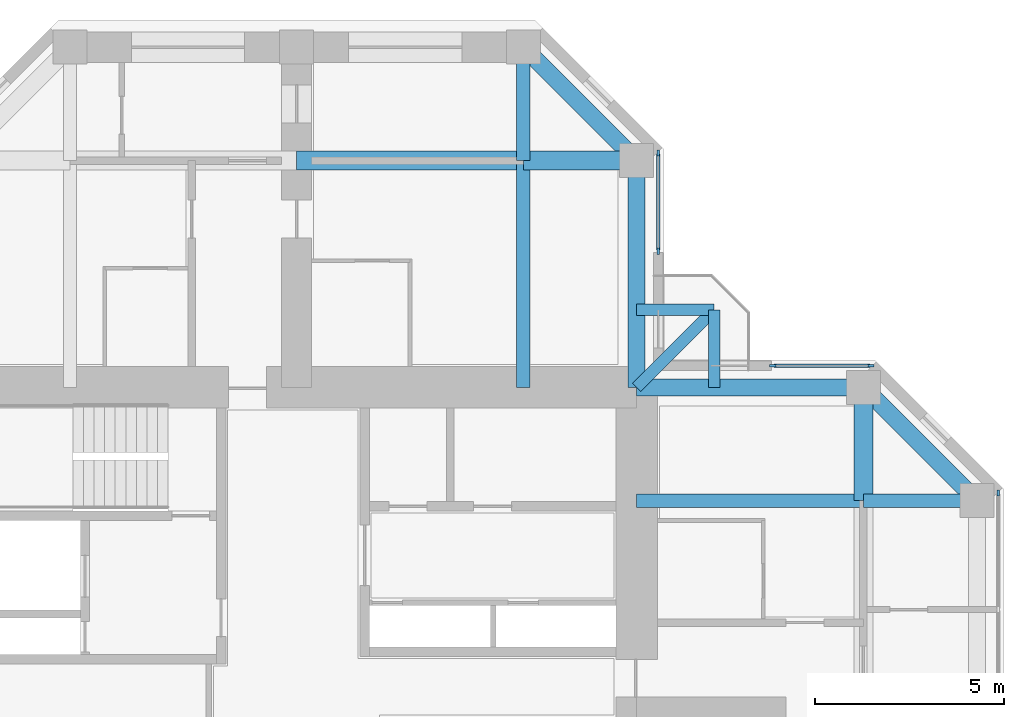
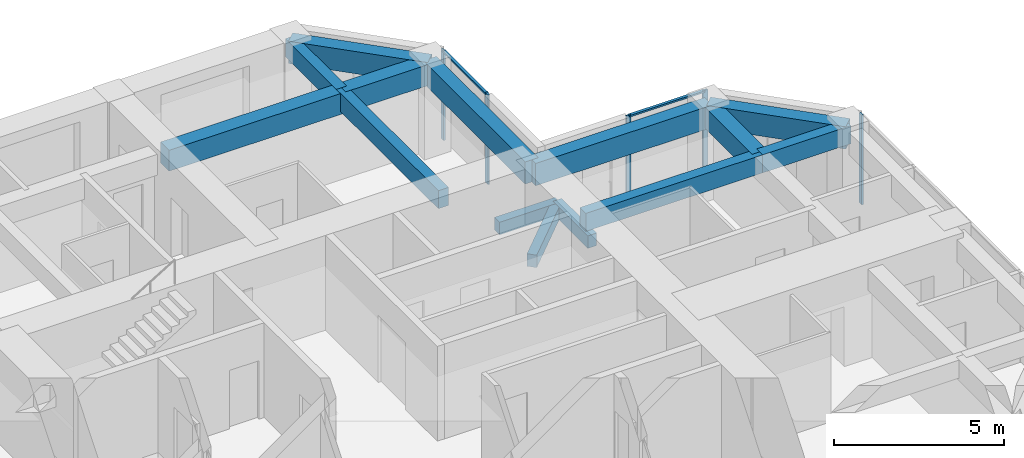
# One storey, part 6 of 14: 14 beams, 7 members, 3 elements without a shape of their own.
"""IFC4 building model written with IfcOpenShell, lengths in metres."""

import ifcopenshell
import ifcopenshell.guid

model = None  # the IFC model being written
_history = None  # IfcOwnerHistory: only IFC2X3 demands one
_inside = {}  # id of a spatial element -> (the spatial element, [elements in it])
_under = {}  # id of a project, library or spatial element -> (it, [spatial elements below it])
_declared = {}  # id of a project -> (the project, [libraries it declares])
_typed = {}  # id of a type object -> (the type object, [elements of that type])
_made_of = {}  # id of a material, layer set ... -> (it, [elements and type objects made of it])


def new_model(schema):
    """Start an empty IFC model of exactly this schema.

    Asked for "IFC4X3", IfcOpenShell would pick the latest addendum, in which some entities
    have other attributes; the version numbers below select the first issue.
    IFC2X3 requires an IfcOwnerHistory on every rooted entity: one is made here for all.
    """
    global model, _history
    if schema == "IFC4X3":
        model = ifcopenshell.file(schema_version=(4, 3, 0, 0))
    else:
        model = ifcopenshell.file(schema=schema)
    _inside.clear()
    _under.clear()
    _declared.clear()
    _typed.clear()
    _made_of.clear()
    _history = None
    if model.schema == "IFC2X3":
        org = make("IfcOrganization", Name="unknown")
        user = make(
            "IfcPersonAndOrganization",
            ThePerson=make("IfcPerson", FamilyName="unknown"),
            TheOrganization=org,
        )
        app = make(
            "IfcApplication",
            ApplicationDeveloper=org,
            Version="unknown",
            ApplicationFullName="unknown",
            ApplicationIdentifier="unknown",
        )
        _history = make(
            "IfcOwnerHistory",
            OwningUser=user,
            OwningApplication=app,
            ChangeAction="ADDED",
            CreationDate=0,
        )
    return model


def make(cls, **values):
    """One entity of the class cls with the attributes given. An attribute that is None is left unset."""
    return model.create_entity(
        cls, **{name: value for name, value in values.items() if value is not None}
    )


def rooted(cls, **values):
    """An entity with a GlobalId (a new one), such as an element, a storey or a relation."""
    return make(cls, GlobalId=ifcopenshell.guid.new(), OwnerHistory=_history, **values)


def si_unit(unit_type, name, prefix=None):
    """IfcSIUnit, for example si_unit("LENGTHUNIT", "METRE", prefix="MILLI")."""
    return make("IfcSIUnit", UnitType=unit_type, Prefix=prefix, Name=name)


def assignment(units):
    """IfcUnitAssignment: the units of a project."""
    return None if units is None else make("IfcUnitAssignment", Units=units)


def point(xyz):
    """IfcCartesianPoint."""
    return None if xyz is None else make("IfcCartesianPoint", Coordinates=xyz)


def direction(xyz):
    """IfcDirection."""
    return None if xyz is None else make("IfcDirection", DirectionRatios=xyz)


def frame(location, z_axis=None, x_axis=None):
    """IfcAxis2Placement3D, a coordinate frame: its origin and axes. An axis left out is left unset."""
    return make(
        "IfcAxis2Placement3D",
        Location=point(location),
        Axis=direction(z_axis),
        RefDirection=direction(x_axis),
    )


def frame_2d(location, x_axis=None):
    """IfcAxis2Placement2D, a coordinate frame in the plane: its origin and x axis."""
    return make(
        "IfcAxis2Placement2D", Location=point(location), RefDirection=direction(x_axis)
    )


def origin():
    """The frame at (0, 0, 0) with its axes left unset."""
    return frame((0.0, 0.0, 0.0))


def origin_2d():
    """The frame at (0, 0) in the plane with its x axis left unset."""
    return frame_2d((0.0, 0.0))


def place(relative_to, where):
    """IfcLocalPlacement: puts the frame where relative to a parent placement (None: the world)."""
    return make(
        "IfcLocalPlacement", PlacementRelTo=relative_to, RelativePlacement=where
    )


def context(
    kind, dimensions, precision=None, world=None, true_north=None, identifier=None
):
    """IfcGeometricRepresentationContext, for example the 3D "Model" context."""
    return make(
        "IfcGeometricRepresentationContext",
        ContextIdentifier=identifier,
        ContextType=kind,
        CoordinateSpaceDimension=dimensions,
        Precision=precision,
        WorldCoordinateSystem=world,
        TrueNorth=true_north,
    )


def subcontext(parent, identifier, kind, view, scale=None):
    """IfcGeometricRepresentationSubContext, for example "Body" below "Model"."""
    return make(
        "IfcGeometricRepresentationSubContext",
        ContextIdentifier=identifier,
        ContextType=kind,
        ParentContext=parent,
        TargetScale=scale,
        TargetView=view,
    )


def project(units=None, contexts=None):
    """IfcProject with its units and contexts."""
    return rooted(
        "IfcProject",
        Name="project",
        RepresentationContexts=contexts,
        UnitsInContext=assignment(units),
    )


def spatial(cls, under=None, at=None, **own):
    """A site, building, storey or space (cls), placed at a placement, below another one or the project."""
    s = rooted(cls, ObjectPlacement=at, **own)
    if under is not None:
        _under.setdefault(under.id(), (under, []))[1].append(s)
    return s


def profile(cls, at=None, kind="AREA", **sizes):
    """A parametric profile (cls). Its sizes go by their IFC names, for example OverallWidth=200.0."""
    return make(cls, ProfileType=kind, Position=at, **sizes)


def rectangle(**sizes):
    """IfcRectangleProfileDef."""
    return profile("IfcRectangleProfileDef", **sizes)


def extrude(swept, where, along, depth):
    """IfcExtrudedAreaSolid: the profile swept, set in the frame where, extruded along a direction by depth."""
    return make(
        "IfcExtrudedAreaSolid",
        SweptArea=swept,
        Position=where,
        ExtrudedDirection=direction(along),
        Depth=depth,
    )


def shape(context_of_items, identifier, shape_type, items):
    """IfcShapeRepresentation: the items that make up one representation, for example the "Body"."""
    return make(
        "IfcShapeRepresentation",
        ContextOfItems=context_of_items,
        RepresentationIdentifier=identifier,
        RepresentationType=shape_type,
        Items=items,
    )


def material(Name=None, Category=None):
    """IfcMaterial."""
    return make("IfcMaterial", Name=Name, Category=Category)


def material_profile(
    of_material, cross_section, Name=None, Category=None, Priority=None
):
    """IfcMaterialProfile: a cross section and its material."""
    return make(
        "IfcMaterialProfile",
        Name=Name,
        Material=of_material,
        Profile=cross_section,
        Priority=Priority,
        Category=Category,
    )


def profile_set(profiles, Name=None, composite=None):
    """IfcMaterialProfileSet."""
    return make(
        "IfcMaterialProfileSet",
        Name=Name,
        MaterialProfiles=profiles,
        CompositeProfile=composite,
    )


def made_of(thing, what):
    """Note that an element or type object is made of a material, layer set ...; save() writes the relation."""
    if what is not None:
        _made_of.setdefault(what.id(), (what, []))[1].append(thing)
    return thing


def type_object(cls, material=None, **own):
    """A type object (cls), such as IfcWallType, which elements share."""
    return made_of(rooted(cls, **own), material)


def element(
    cls,
    number,
    at=None,
    inside=None,
    cuts=None,
    type_object=None,
    material=None,
    context=None,
    identifier="Body",
    shape_type=None,
    held_by="IfcProductDefinitionShape",
    body=None,
    shapes=None,
    **own,
):
    """One element of the class cls, such as IfcWall. Its Tag is "e" and its number.

    at: its placement. inside: the storey or other place that contains it. cuts: it is an
    opening in that element (IfcRelVoidsElement). A single representation is given by context,
    identifier, shape_type and body (its items); several are given by shapes. held_by: the class
    of the entity that holds the representations. save() writes the other relations.
    """
    e = rooted(cls, Tag="e%d" % number, ObjectPlacement=at, **own)
    if body is not None:
        shapes = [shape(context, identifier, shape_type, body)]
    if shapes is not None:
        e.Representation = make(held_by, Representations=shapes)
    if inside is not None:
        _inside.setdefault(inside.id(), (inside, []))[1].append(e)
    if cuts is not None:
        rooted(
            "IfcRelVoidsElement", RelatingBuildingElement=cuts, RelatedOpeningElement=e
        )
    if type_object is not None:
        _typed.setdefault(type_object.id(), (type_object, []))[1].append(e)
    return made_of(e, material)


def aggregate(whole, parts):
    """IfcRelAggregates: a whole, such as a stair, and the parts it consists of."""
    return rooted("IfcRelAggregates", RelatingObject=whole, RelatedObjects=parts)


def save(model, path):
    """Write the relations noted so far, then the file.

    IfcRelAggregates (storeys below a building ...), IfcRelContainedInSpatialStructure (elements
    in a storey), IfcRelDefinesByType, IfcRelAssociatesMaterial and IfcRelDeclares: one each for
    every whole, place, type object, material and project.
    """
    for whole, parts in _under.values():
        aggregate(whole, parts)
    for where, things in _inside.values():
        rooted(
            "IfcRelContainedInSpatialStructure",
            RelatedElements=things,
            RelatingStructure=where,
        )
    for kind, things in _typed.values():
        rooted("IfcRelDefinesByType", RelatedObjects=things, RelatingType=kind)
    for what, things in _made_of.values():
        rooted("IfcRelAssociatesMaterial", RelatedObjects=things, RelatingMaterial=what)
    for by, libraries in _declared.values():
        rooted("IfcRelDeclares", RelatingContext=by, RelatedDefinitions=libraries)
    model.write(path)


model = new_model("IFC4")

# Units and contexts
model_context = context("Model", 3, precision=1e-05, world=origin(), true_north=direction((0.0, 1.0)))
body_context = subcontext(model_context, "Body", "Model", "MODEL_VIEW")
ifc_project = project(units=[si_unit("LENGTHUNIT", "METRE"), si_unit("AREAUNIT", "SQUARE_METRE"), si_unit("VOLUMEUNIT", "CUBIC_METRE"), si_unit("PLANEANGLEUNIT", "RADIAN"), si_unit("MASSUNIT", "GRAM", prefix="KILO")], contexts=[model_context])

# Site, building, storey
site_placement = place(None, origin())
site = spatial("IfcSite", under=ifc_project, at=site_placement, CompositionType="ELEMENT")
building_placement = place(site_placement, origin())
building = spatial("IfcBuilding", under=site, at=building_placement, Name="Torre Cruceta", CompositionType="ELEMENT")
storey_placement = place(building_placement, frame((0.0, 0.0, 176.300048828125)))
storey = spatial("IfcBuildingStorey", under=building, at=storey_placement, Name="L43", CompositionType="ELEMENT", Elevation=176.300048828125)

# Beams
ifc_material_1 = material(Name="Concrete G60 (fck 60 MPa)", Category="concrete")
ifc_material_profile_1 = material_profile(ifc_material_1, rectangle(XDim=0.300048828125, YDim=0.449951171875, at=origin_2d()), Name="RC 300X450")
ifc_profile_set_1 = profile_set([ifc_material_profile_1], Name="Concrete G60 (fck 60 MPa)")
beam_type_1 = type_object("IfcBeamType", Name="BALCONY CANTILEVER BEAM RC 300X450", PredefinedType="BEAM", material=ifc_profile_set_1)
beam_1_placement = place(storey_placement, frame((9.0, 9.0, -0.405029296875), z_axis=(0.707106781187, 0.707106781187, 0.0), x_axis=(-0.707106781187, 0.707106781187, 0.0)))
element("IfcBeam", 1, at=beam_1_placement, inside=storey, type_object=beam_type_1, Name="BB1 balcony beam L43 E", PredefinedType="BEAM", context=body_context, shape_type="SweptSolid", body=[
    extrude(rectangle(XDim=0.300048828125, YDim=0.449951171875, at=origin_2d()), origin(), (0.0, 0.0, 1.0), 2.89990234375),
])
for number, where, z_axis, x_axis, name in (
    (2, (11.050537109375, 9.0, -0.405029296875), (0.0, 1.0, 0.0), (-1.0, 0.0, 0.0), "BB1 balcony edge beam L43 E-X"),
    (3, (9.0, 11.050537109375, -0.405029296875), (1.0, 0.0, 0.0), (0.0, 1.0, 0.0), "BB1 balcony edge beam L43 E-Y"),
):
    element("IfcBeam", number, at=place(storey_placement, frame(where, z_axis=z_axis, x_axis=x_axis)), inside=storey, type_object=beam_type_1, Name=name, PredefinedType="BEAM", context=body_context, shape_type="SweptSolid", body=[
        extrude(rectangle(XDim=0.300048828125, YDim=0.449951171875, at=origin_2d()), origin(), (0.0, 0.0, 1.0), 2.050537109375),
    ])
ifc_material_2 = material(Name="Concrete G60 (fck 60 MPa)", Category="concrete")
ifc_material_profile_2 = material_profile(ifc_material_2, rectangle(XDim=0.35009765625, YDim=0.64990234375, at=origin_2d()), Name="RC 350X650")
ifc_profile_set_2 = profile_set([ifc_material_profile_2], Name="Concrete G60 (fck 60 MPa)")
beam_type_2 = type_object("IfcBeamType", Name="COLUMN LINE BEAM RC 350X650", PredefinedType="BEAM", material=ifc_profile_set_2)
beam_2_placement = place(storey_placement, frame((6.0, 9.0, 2.89501953125), z_axis=(0.0, 1.0, 0.0), x_axis=(-1.0, 0.0, 0.0)))
element("IfcBeam", 4, at=beam_2_placement, inside=storey, type_object=beam_type_2, Name="LB7 L43 N col- 1", PredefinedType="BEAM", context=body_context, shape_type="SweptSolid", body=[
    extrude(rectangle(XDim=0.35009765625, YDim=0.64990234375, at=origin_2d()), origin(), (0.0, 0.0, 1.0), 6.0),
])
beam_3_placement = place(storey_placement, frame((6.0, 15.0, 2.89501953125), z_axis=(0.0, 1.0, 0.0), x_axis=(-1.0, 0.0, 0.0)))
element("IfcBeam", 5, at=beam_3_placement, inside=storey, type_object=beam_type_2, Name="LB7 L43 N col- 2", PredefinedType="BEAM", context=body_context, shape_type="SweptSolid", body=[
    extrude(rectangle(XDim=0.35009765625, YDim=0.64990234375, at=origin_2d()), origin(), (0.0, 0.0, 1.0), 3.0),
])
beam_4_placement = place(storey_placement, frame((9.0, 6.0, 2.89501953125), z_axis=(1.0, 0.0, 0.0), x_axis=(0.0, 1.0, 0.0)))
element("IfcBeam", 6, at=beam_4_placement, inside=storey, type_object=beam_type_2, Name="LB7 L43 E col+ 1", PredefinedType="BEAM", context=body_context, shape_type="SweptSolid", body=[
    extrude(rectangle(XDim=0.35009765625, YDim=0.64990234375, at=origin_2d()), origin(), (0.0, 0.0, 1.0), 6.0),
])
beam_5_placement = place(storey_placement, frame((15.0, 6.0, 2.89501953125), z_axis=(1.0, 0.0, 0.0), x_axis=(0.0, 1.0, 0.0)))
element("IfcBeam", 7, at=beam_5_placement, inside=storey, type_object=beam_type_2, Name="LB7 L43 E col+ 2", PredefinedType="BEAM", context=body_context, shape_type="SweptSolid", body=[
    extrude(rectangle(XDim=0.35009765625, YDim=0.64990234375, at=origin_2d()), origin(), (0.0, 0.0, 1.0), 3.0),
])
ifc_material_3 = material(Name="Concrete G60 (fck 60 MPa)", Category="concrete")
ifc_material_profile_3 = material_profile(ifc_material_3, rectangle(XDim=0.5, YDim=0.75, at=origin_2d()), Name="RC 500X750")
ifc_profile_set_3 = profile_set([ifc_material_profile_3], Name="Concrete G60 (fck 60 MPa)")
beam_type_3 = type_object("IfcBeamType", Name="CROSS BEAM RC 500X750", PredefinedType="BEAM", material=ifc_profile_set_3)
beam_6_placement = place(storey_placement, frame((9.0, 15.0, 2.844970703125), z_axis=(-1.0, 0.0, 0.0), x_axis=(0.0, -1.0, 0.0)))
element("IfcBeam", 8, at=beam_6_placement, inside=storey, type_object=beam_type_3, Name="GB6 L43 N cross15 1", PredefinedType="BEAM", context=body_context, shape_type="SweptSolid", body=[
    extrude(rectangle(XDim=0.5, YDim=0.75, at=origin_2d()), origin(), (0.0, 0.0, 1.0), 3.0),
])
beam_7_placement = place(storey_placement, frame((6.0, 15.0, 2.844970703125), z_axis=(-1.0, 0.0, 0.0), x_axis=(0.0, -1.0, 0.0)))
element("IfcBeam", 9, at=beam_7_placement, inside=storey, type_object=beam_type_3, Name="GB6 L43 N cross15 2", PredefinedType="BEAM", context=body_context, shape_type="SweptSolid", body=[
    extrude(rectangle(XDim=0.5, YDim=0.75, at=origin_2d()), origin(), (0.0, 0.0, 1.0), 6.0),
])
beam_8_placement = place(storey_placement, frame((15.0, 6.0, 2.844970703125), z_axis=(0.0, 1.0, 0.0), x_axis=(-1.0, 0.0, 0.0)))
element("IfcBeam", 10, at=beam_8_placement, inside=storey, type_object=beam_type_3, Name="GB6 L43 E cross15 4", PredefinedType="BEAM", context=body_context, shape_type="SweptSolid", body=[
    extrude(rectangle(XDim=0.5, YDim=0.75, at=origin_2d()), origin(), (0.0, 0.0, 1.0), 3.0),
])

# Curtain wall, member
ifc_material_4 = material(Name="Aluminium unitised curtain wall", Category="aluminium")
curtain_wall_type = type_object("IfcCurtainWallType", Name="CURTAIN WALL CW-C CO-LIVING", PredefinedType="USERDEFINED", material=ifc_material_4)
curtain_wall_1_placement = place(storey_placement, origin())
curtain_wall_1 = element("IfcCurtainWall", 11, at=curtain_wall_1_placement, inside=storey, type_object=curtain_wall_type, Name="CW-C L43 E tip 02", ObjectType="UNITISED", PredefinedType="USERDEFINED")
ifc_material_5 = material(Name="Aluminium mullion", Category="aluminium")
ifc_material_profile_4 = material_profile(ifc_material_5, rectangle(XDim=0.06005859375, YDim=0.159912109375, at=origin_2d()), Name="AL 60X160")
ifc_profile_set_4 = profile_set([ifc_material_profile_4], Name="Aluminium mullion")
member_type_1 = type_object("IfcMemberType", Name="CW-C MULLION 60X160", PredefinedType="MULLION", material=ifc_profile_set_4)
member_1_placement = place(storey_placement, frame((18.570068359375, 6.2060546875, 0.0), z_axis=(0.0, 0.0, 1.0), x_axis=(-1.0, 0.0, 0.0)))
member_1 = element("IfcMember", 12, at=member_1_placement, type_object=member_type_1, Name="CW-C mullion 5", PredefinedType="MULLION", context=body_context, shape_type="SweptSolid", body=[
    extrude(rectangle(XDim=0.06005859375, YDim=0.159912109375, at=origin_2d()), origin(), (0.0, 0.0, 1.0), 3.219970703125),
])
aggregate(curtain_wall_1, [member_1])

# Curtain wall, members
curtain_wall_2_placement = place(storey_placement, origin())
curtain_wall_2 = element("IfcCurtainWall", 13, at=curtain_wall_2_placement, inside=storey, type_object=curtain_wall_type, Name="CW-C L43 E side 04", ObjectType="UNITISED", PredefinedType="USERDEFINED")
member_2_placement = place(storey_placement, frame((15.2060546875, 9.570068359375, 0.0), z_axis=(0.0, 0.0, 1.0), x_axis=(0.0, -1.0, 0.0)))
member_2 = element("IfcMember", 14, at=member_2_placement, type_object=member_type_1, Name="CW-C mullion 1", PredefinedType="MULLION", context=body_context, shape_type="SweptSolid", body=[
    extrude(rectangle(XDim=0.06005859375, YDim=0.159912109375, at=origin_2d()), origin(), (0.0, 0.0, 1.0), 3.219970703125),
])
member_3_placement = place(storey_placement, frame((12.60009765625, 9.570068359375, 0.0), z_axis=(0.0, 0.0, 1.0), x_axis=(0.0, -1.0, 0.0)))
member_3 = element("IfcMember", 15, at=member_3_placement, type_object=member_type_1, Name="CW-C mullion 2", PredefinedType="MULLION", context=body_context, shape_type="SweptSolid", body=[
    extrude(rectangle(XDim=0.06005859375, YDim=0.159912109375, at=origin_2d()), origin(), (0.0, 0.0, 1.0), 3.219970703125),
])

curtain_wall_3_placement = place(storey_placement, origin())
curtain_wall_3 = element("IfcCurtainWall", 16, at=curtain_wall_3_placement, inside=storey, type_object=curtain_wall_type, Name="CW-C L43 N side 05", ObjectType="UNITISED", PredefinedType="USERDEFINED")
member_4_placement = place(storey_placement, frame((9.570068359375, 12.60009765625, 0.0), z_axis=(0.0, 0.0, 1.0), x_axis=(-1.0, 0.0, 0.0)))
member_4 = element("IfcMember", 17, at=member_4_placement, type_object=member_type_1, Name="CW-C mullion 1", PredefinedType="MULLION", context=body_context, shape_type="SweptSolid", body=[
    extrude(rectangle(XDim=0.06005859375, YDim=0.159912109375, at=origin_2d()), origin(), (0.0, 0.0, 1.0), 3.219970703125),
])
member_5_placement = place(storey_placement, frame((9.570068359375, 15.2060546875, 0.0), z_axis=(0.0, 0.0, 1.0), x_axis=(-1.0, 0.0, 0.0)))
member_5 = element("IfcMember", 18, at=member_5_placement, type_object=member_type_1, Name="CW-C mullion 2", PredefinedType="MULLION", context=body_context, shape_type="SweptSolid", body=[
    extrude(rectangle(XDim=0.06005859375, YDim=0.159912109375, at=origin_2d()), origin(), (0.0, 0.0, 1.0), 3.219970703125),
])

# Member
ifc_material_6 = material(Name="Aluminium transom", Category="aluminium")
ifc_material_profile_5 = material_profile(ifc_material_6, rectangle(XDim=0.10009765625, YDim=0.06005859375, at=origin_2d()), Name="AL 100X60")
ifc_profile_set_5 = profile_set([ifc_material_profile_5], Name="Aluminium transom")
member_type_2 = type_object("IfcMemberType", Name="CW-C TRANSOM 60X100", PredefinedType="USERDEFINED", material=ifc_profile_set_5)
member_6_placement = place(storey_placement, frame((15.176025390625, 9.570068359375, 3.18994140625), z_axis=(-1.0, 0.0, 0.0), x_axis=(0.0, -1.0, 0.0)))
member_6 = element("IfcMember", 19, at=member_6_placement, type_object=member_type_2, Name="CW-C transom 1", ObjectType="TRANSOM", PredefinedType="USERDEFINED", context=body_context, shape_type="SweptSolid", body=[
    extrude(rectangle(XDim=0.10009765625, YDim=0.06005859375, at=origin_2d()), origin(), (0.0, 0.0, 1.0), 2.546142578125),
])

aggregate(curtain_wall_2, [member_2, member_3, member_6])

member_7_placement = place(storey_placement, frame((9.570068359375, 12.6298828125, 3.18994140625), z_axis=(0.0, 1.0, 0.0), x_axis=(-1.0, 0.0, 0.0)))
member_7 = element("IfcMember", 20, at=member_7_placement, type_object=member_type_2, Name="CW-C transom 1", ObjectType="TRANSOM", PredefinedType="USERDEFINED", context=body_context, shape_type="SweptSolid", body=[
    extrude(rectangle(XDim=0.10009765625, YDim=0.06005859375, at=origin_2d()), origin(), (0.0, 0.0, 1.0), 2.546142578125),
])

aggregate(curtain_wall_3, [member_4, member_5, member_7])

# Beams
ifc_material_7 = material(Name="Concrete G60 (fck 60 MPa)", Category="concrete")
ifc_material_profile_6 = material_profile(ifc_material_7, rectangle(XDim=0.449951171875, YDim=0.800048828125, at=origin_2d()), Name="RC 450X800")
ifc_profile_set_6 = profile_set([ifc_material_profile_6], Name="Concrete G60 (fck 60 MPa)")
beam_type_4 = type_object("IfcBeamType", Name="SPANDREL BEAM RC 450X800", PredefinedType="SPANDREL", material=ifc_profile_set_6)
beam_9_placement = place(storey_placement, frame((9.0, 9.0, 2.820068359375), z_axis=(0.0, 1.0, 0.0), x_axis=(-1.0, 0.0, 0.0)))
element("IfcBeam", 21, at=beam_9_placement, inside=storey, type_object=beam_type_4, Name="SB6 L43 N side- 1", PredefinedType="SPANDREL", context=body_context, shape_type="SweptSolid", body=[
    extrude(rectangle(XDim=0.449951171875, YDim=0.800048828125, at=origin_2d()), origin(), (0.0, 0.0, 1.0), 6.0),
])
beam_10_placement = place(storey_placement, frame((9.0, 15.0, 2.820068359375), z_axis=(-0.707106781187, 0.707106781187, 0.0), x_axis=(-0.707106781187, -0.707106781187, 0.0)))
element("IfcBeam", 22, at=beam_10_placement, inside=storey, type_object=beam_type_4, Name="SB6 L43 N side- 2", PredefinedType="SPANDREL", context=body_context, shape_type="SweptSolid", body=[
    extrude(rectangle(XDim=0.449951171875, YDim=0.800048828125, at=origin_2d()), origin(), (0.0, 0.0, 1.0), 4.24267578125),
])
beam_11_placement = place(storey_placement, frame((9.0, 9.0, 2.820068359375), z_axis=(1.0, 0.0, 0.0), x_axis=(0.0, 1.0, 0.0)))
element("IfcBeam", 23, at=beam_11_placement, inside=storey, type_object=beam_type_4, Name="SB6 L43 E side+ 1", PredefinedType="SPANDREL", context=body_context, shape_type="SweptSolid", body=[
    extrude(rectangle(XDim=0.449951171875, YDim=0.800048828125, at=origin_2d()), origin(), (0.0, 0.0, 1.0), 6.0),
])
beam_12_placement = place(storey_placement, frame((15.0, 9.0, 2.820068359375), z_axis=(0.707106781187, -0.707106781187, 0.0), x_axis=(0.707106781187, 0.707106781187, 0.0)))
element("IfcBeam", 24, at=beam_12_placement, inside=storey, type_object=beam_type_4, Name="SB6 L43 E side+ 2", PredefinedType="SPANDREL", context=body_context, shape_type="SweptSolid", body=[
    extrude(rectangle(XDim=0.449951171875, YDim=0.800048828125, at=origin_2d()), origin(), (0.0, 0.0, 1.0), 4.24267578125),
])

save(model, "model.ifc")
